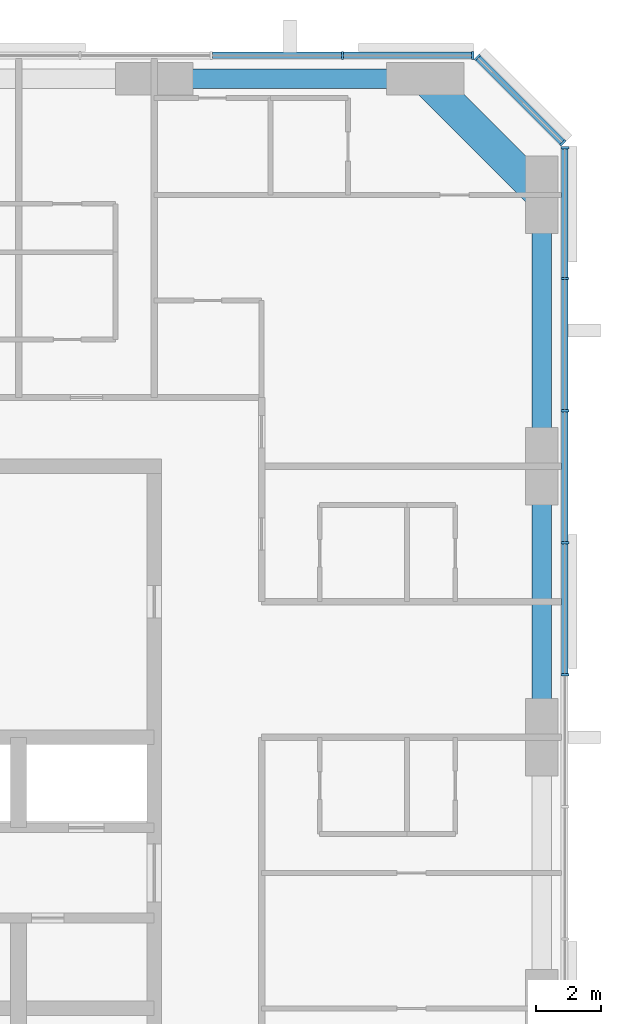
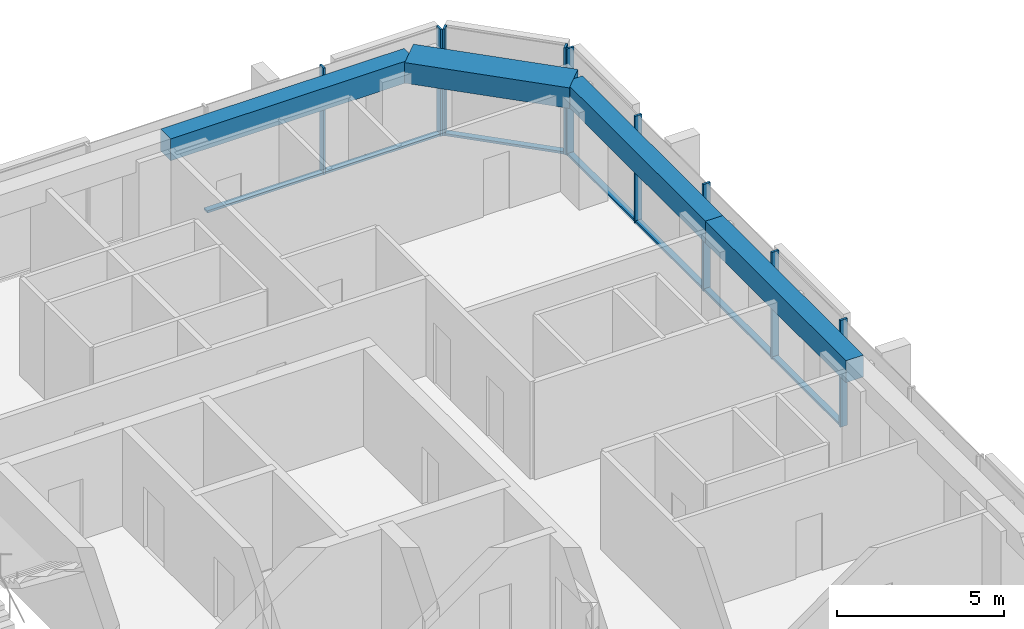
# One storey, part 5 of 12: 16 members, 4 beams, 3 elements without a shape of their own.
"""IFC4 building model written with IfcOpenShell, lengths in metres."""

from ifc_helpers import new_model, si_unit, direction, frame, origin, origin_2d, place, context, subcontext, project, spatial, rectangle, extrude, material, material_profile, profile_set, type_object, element, aggregate, save


model = new_model("IFC4")

# Units and contexts
model_context = context("Model", 3, precision=1e-05, world=origin(), true_north=direction((0.0, 1.0)))
body_context = subcontext(model_context, "Body", "Model", "MODEL_VIEW")
ifc_project = project(units=[si_unit("LENGTHUNIT", "METRE"), si_unit("AREAUNIT", "SQUARE_METRE"), si_unit("VOLUMEUNIT", "CUBIC_METRE"), si_unit("PLANEANGLEUNIT", "RADIAN"), si_unit("MASSUNIT", "GRAM", prefix="KILO")], contexts=[model_context])

# Site, building, storey
site_placement = place(None, origin())
site = spatial("IfcSite", under=ifc_project, at=site_placement, CompositionType="ELEMENT")
building_placement = place(site_placement, origin())
building = spatial("IfcBuilding", under=site, at=building_placement, Name="Dunama Terrace Hotel", CompositionType="ELEMENT")
storey_placement = place(building_placement, frame((0.0, 0.0, 272.39990234375)))
storey = spatial("IfcBuildingStorey", under=building, at=storey_placement, Name="L70", CompositionType="ELEMENT", Elevation=272.39990234375)

# Curtain wall, members
ifc_material_1 = material(Name="Aluminium curtain wall system", Category="aluminium")
curtain_wall_type = type_object("IfcCurtainWallType", Name="Unitised fritted glass wall CW-D", PredefinedType="NOTDEFINED", material=ifc_material_1)
curtain_wall_1_placement = place(storey_placement, origin())
curtain_wall_1 = element("IfcCurtainWall", 1, at=curtain_wall_1_placement, inside=storey, type_object=curtain_wall_type, Name="Unitised fritted glass wall CW-D L70", PredefinedType="NOTDEFINED")
ifc_material_2 = material(Name="Aluminium mullion", Category="aluminium")
ifc_material_profile_1 = material_profile(ifc_material_2, rectangle(XDim=0.070068359375, YDim=0.239990234375, at=origin_2d()), Name="CWD MULLION 70X240")
ifc_profile_set_1 = profile_set([ifc_material_profile_1], Name="Aluminium mullion")
member_type_1 = type_object("IfcMemberType", Name="CWD mullion 70x240", PredefinedType="MULLION", material=ifc_profile_set_1)
member_1_placement = place(storey_placement, frame((54.719970703125, 35.535888671875, 0.0), z_axis=(0.0, 0.0, 1.0), x_axis=(0.0, 1.0, 0.0)))
member_1 = element("IfcMember", 2, at=member_1_placement, type_object=member_type_1, Name="CWD mullion", PredefinedType="MULLION", context=body_context, shape_type="SweptSolid", body=[
    extrude(rectangle(XDim=0.070068359375, YDim=0.239990234375, at=origin_2d()), origin(), (0.0, 0.0, 1.0), 3.900146484375),
])
member_2_placement = place(storey_placement, frame((54.719970703125, 39.626953125, 0.0), z_axis=(0.0, 0.0, 1.0), x_axis=(0.0, 1.0, 0.0)))
member_2 = element("IfcMember", 3, at=member_2_placement, type_object=member_type_1, Name="CWD mullion", PredefinedType="MULLION", context=body_context, shape_type="SweptSolid", body=[
    extrude(rectangle(XDim=0.070068359375, YDim=0.239990234375, at=origin_2d()), origin(), (0.0, 0.0, 1.0), 3.900146484375),
])
member_3_placement = place(storey_placement, frame((54.719970703125, 43.718017578125, 0.0), z_axis=(0.0, 0.0, 1.0), x_axis=(0.0, 1.0, 0.0)))
member_3 = element("IfcMember", 4, at=member_3_placement, type_object=member_type_1, Name="CWD mullion", PredefinedType="MULLION", context=body_context, shape_type="SweptSolid", body=[
    extrude(rectangle(XDim=0.070068359375, YDim=0.239990234375, at=origin_2d()), origin(), (0.0, 0.0, 1.0), 3.900146484375),
])
member_4_placement = place(storey_placement, frame((54.719970703125, 47.80908203125, 0.0), z_axis=(0.0, 0.0, 1.0), x_axis=(0.0, 1.0, 0.0)))
member_4 = element("IfcMember", 5, at=member_4_placement, type_object=member_type_1, Name="CWD mullion", PredefinedType="MULLION", context=body_context, shape_type="SweptSolid", body=[
    extrude(rectangle(XDim=0.070068359375, YDim=0.239990234375, at=origin_2d()), origin(), (0.0, 0.0, 1.0), 3.900146484375),
])
member_5_placement = place(storey_placement, frame((54.719970703125, 51.864990234375, 0.0), z_axis=(0.0, 0.0, 1.0), x_axis=(0.0, 1.0, 0.0)))
member_5 = element("IfcMember", 6, at=member_5_placement, type_object=member_type_1, Name="CWD mullion", PredefinedType="MULLION", context=body_context, shape_type="SweptSolid", body=[
    extrude(rectangle(XDim=0.070068359375, YDim=0.239990234375, at=origin_2d()), origin(), (0.0, 0.0, 1.0), 3.900146484375),
])

curtain_wall_2_placement = place(storey_placement, origin())
curtain_wall_2 = element("IfcCurtainWall", 7, at=curtain_wall_2_placement, inside=storey, type_object=curtain_wall_type, Name="Unitised fritted glass wall CW-D L70", PredefinedType="NOTDEFINED")
member_6_placement = place(storey_placement, frame((54.659912109375, 52.010009765625, 0.0), z_axis=(0.0, 0.0, 1.0), x_axis=(-0.707106781187, 0.707106781187, 0.0)))
member_6 = element("IfcMember", 8, at=member_6_placement, type_object=member_type_1, Name="CWD mullion", PredefinedType="MULLION", context=body_context, shape_type="SweptSolid", body=[
    extrude(rectangle(XDim=0.070068359375, YDim=0.239990234375, at=origin_2d()), origin(), (0.0, 0.0, 1.0), 3.900146484375),
])
member_7_placement = place(storey_placement, frame((52.010009765625, 54.659912109375, 0.0), z_axis=(0.0, 0.0, 1.0), x_axis=(-0.707106781187, 0.707106781187, 0.0)))
member_7 = element("IfcMember", 9, at=member_7_placement, type_object=member_type_1, Name="CWD mullion", PredefinedType="MULLION", context=body_context, shape_type="SweptSolid", body=[
    extrude(rectangle(XDim=0.070068359375, YDim=0.239990234375, at=origin_2d()), origin(), (0.0, 0.0, 1.0), 3.900146484375),
])

curtain_wall_3_placement = place(storey_placement, origin())
curtain_wall_3 = element("IfcCurtainWall", 10, at=curtain_wall_3_placement, inside=storey, type_object=curtain_wall_type, Name="Unitised fritted glass wall CW-D L70", PredefinedType="NOTDEFINED")
member_8_placement = place(storey_placement, frame((51.864990234375, 54.719970703125, 0.0), z_axis=(0.0, 0.0, 1.0), x_axis=(-1.0, 0.0, 0.0)))
member_8 = element("IfcMember", 11, at=member_8_placement, type_object=member_type_1, Name="CWD mullion", PredefinedType="MULLION", context=body_context, shape_type="SweptSolid", body=[
    extrude(rectangle(XDim=0.070068359375, YDim=0.239990234375, at=origin_2d()), origin(), (0.0, 0.0, 1.0), 3.900146484375),
])
member_9_placement = place(storey_placement, frame((47.8330078125, 54.719970703125, 0.0), z_axis=(0.0, 0.0, 1.0), x_axis=(-1.0, 0.0, 0.0)))
member_9 = element("IfcMember", 12, at=member_9_placement, type_object=member_type_1, Name="CWD mullion", PredefinedType="MULLION", context=body_context, shape_type="SweptSolid", body=[
    extrude(rectangle(XDim=0.070068359375, YDim=0.239990234375, at=origin_2d()), origin(), (0.0, 0.0, 1.0), 3.900146484375),
])

# Member
ifc_material_3 = material(Name="Aluminium transom", Category="aluminium")
ifc_material_profile_2 = material_profile(ifc_material_3, rectangle(XDim=0.199951171875, YDim=0.0849609375, at=origin_2d()), Name="CWD TRANSOM 200X85")
ifc_profile_set_2 = profile_set([ifc_material_profile_2], Name="Aluminium transom")
member_type_2 = type_object("IfcMemberType", Name="CWD transom 200x85", PredefinedType="USERDEFINED", material=ifc_profile_set_2)
member_10_placement = place(storey_placement, frame((54.719970703125, 35.571044921875, 0.04248046875), z_axis=(0.0, 1.0, 0.0), x_axis=(-1.0, 0.0, 0.0)))
member_10 = element("IfcMember", 13, at=member_10_placement, type_object=member_type_2, Name="CWD transom", ObjectType="TRANSOM", PredefinedType="USERDEFINED", context=body_context, shape_type="SweptSolid", body=[
    extrude(rectangle(XDim=0.199951171875, YDim=0.0849609375, at=origin_2d()), origin(), (0.0, 0.0, 1.0), 4.02099609375),
])

member_11_placement = place(storey_placement, frame((54.719970703125, 39.662109375, 0.04248046875), z_axis=(0.0, 1.0, 0.0), x_axis=(-1.0, 0.0, 0.0)))
member_11 = element("IfcMember", 14, at=member_11_placement, type_object=member_type_2, Name="CWD transom", ObjectType="TRANSOM", PredefinedType="USERDEFINED", context=body_context, shape_type="SweptSolid", body=[
    extrude(rectangle(XDim=0.199951171875, YDim=0.0849609375, at=origin_2d()), origin(), (0.0, 0.0, 1.0), 4.02099609375),
])

member_12_placement = place(storey_placement, frame((54.719970703125, 43.7529296875, 0.04248046875), z_axis=(0.0, 1.0, 0.0), x_axis=(-1.0, 0.0, 0.0)))
member_12 = element("IfcMember", 15, at=member_12_placement, type_object=member_type_2, Name="CWD transom", ObjectType="TRANSOM", PredefinedType="USERDEFINED", context=body_context, shape_type="SweptSolid", body=[
    extrude(rectangle(XDim=0.199951171875, YDim=0.0849609375, at=origin_2d()), origin(), (0.0, 0.0, 1.0), 4.02099609375),
])

member_13_placement = place(storey_placement, frame((54.719970703125, 47.843994140625, 0.04248046875), z_axis=(0.0, 1.0, 0.0), x_axis=(-1.0, 0.0, 0.0)))
member_13 = element("IfcMember", 16, at=member_13_placement, type_object=member_type_2, Name="CWD transom", ObjectType="TRANSOM", PredefinedType="USERDEFINED", context=body_context, shape_type="SweptSolid", body=[
    extrude(rectangle(XDim=0.199951171875, YDim=0.0849609375, at=origin_2d()), origin(), (0.0, 0.0, 1.0), 3.986083984375),
])

aggregate(curtain_wall_1, [member_1, member_2, member_3, member_4, member_5, member_10, member_11, member_12, member_13])

member_14_placement = place(storey_placement, frame((54.635009765625, 52.033935546875, 0.04248046875), z_axis=(-0.707106781187, 0.707106781187, 0.0), x_axis=(-0.707106781187, -0.707106781187, 0.0)))
member_14 = element("IfcMember", 17, at=member_14_placement, type_object=member_type_2, Name="CWD transom", ObjectType="TRANSOM", PredefinedType="USERDEFINED", context=body_context, shape_type="SweptSolid", body=[
    extrude(rectangle(XDim=0.199951171875, YDim=0.0849609375, at=origin_2d()), origin(), (0.0, 0.0, 1.0), 3.678466796875),
])

aggregate(curtain_wall_2, [member_6, member_7, member_14])

member_15_placement = place(storey_placement, frame((51.830078125, 54.719970703125, 0.04248046875), z_axis=(-1.0, 0.0, 0.0), x_axis=(0.0, -1.0, 0.0)))
member_15 = element("IfcMember", 18, at=member_15_placement, type_object=member_type_2, Name="CWD transom", ObjectType="TRANSOM", PredefinedType="USERDEFINED", context=body_context, shape_type="SweptSolid", body=[
    extrude(rectangle(XDim=0.199951171875, YDim=0.0849609375, at=origin_2d()), origin(), (0.0, 0.0, 1.0), 3.962158203125),
])

member_16_placement = place(storey_placement, frame((47.798095703125, 54.719970703125, 0.04248046875), z_axis=(-1.0, 0.0, 0.0), x_axis=(0.0, -1.0, 0.0)))
member_16 = element("IfcMember", 19, at=member_16_placement, type_object=member_type_2, Name="CWD transom", ObjectType="TRANSOM", PredefinedType="USERDEFINED", context=body_context, shape_type="SweptSolid", body=[
    extrude(rectangle(XDim=0.199951171875, YDim=0.0849609375, at=origin_2d()), origin(), (0.0, 0.0, 1.0), 3.99609375),
])

aggregate(curtain_wall_3, [member_8, member_9, member_15, member_16])

# Beams
ifc_material_4 = material(Name="Concrete C50/60", Category="concrete")
ifc_material_profile_3 = material_profile(ifc_material_4, rectangle(XDim=1.0, YDim=0.75, at=origin_2d()), Name="RC 1000x750")
ifc_profile_set_3 = profile_set([ifc_material_profile_3], Name="Concrete C50/60")
beam_type_1 = type_object("IfcBeamType", Name="Edge beam RC 1000x750", PredefinedType="SPANDREL", material=ifc_profile_set_3)
beam_placement = place(storey_placement, frame((50.39990234375, 54.0, 3.525146484375), z_axis=(0.707106781187, -0.707106781187, 0.0), x_axis=(0.707106781187, 0.707106781187, 0.0)))
element("IfcBeam", 20, at=beam_placement, inside=storey, type_object=beam_type_1, Name="Corner edge beam under L71", PredefinedType="SPANDREL", context=body_context, shape_type="SweptSolid", body=[
    extrude(rectangle(XDim=1.0, YDim=0.75, at=origin_2d()), origin(), (0.0, 0.0, 1.0), 5.09130859375),
])
ifc_material_5 = material(Name="Concrete C40/50", Category="concrete")
ifc_material_profile_4 = material_profile(ifc_material_5, rectangle(XDim=0.60009765625, YDim=0.800048828125, at=origin_2d()), Name="RC 600x800")
ifc_profile_set_4 = profile_set([ifc_material_profile_4], Name="Concrete C40/50")
beam_type_2 = type_object("IfcBeamType", Name="Edge beam RC 600x800", PredefinedType="SPANDREL", material=ifc_profile_set_4)
for number, where, z_axis, x_axis, name in (
    (21, (54.0, 33.60009765625, 3.5), (0.0, 1.0, 0.0), (-1.0, 0.0, 0.0), "Edge beam under L71"),
    (22, (54.0, 42.0, 3.5), (0.0, 1.0, 0.0), (-1.0, 0.0, 0.0), "Edge beam under L71"),
    (23, (42.0, 54.0, 3.5), (1.0, 0.0, 0.0), (0.0, 1.0, 0.0), "Edge beam under L71"),
):
    element("IfcBeam", number, at=place(storey_placement, frame(where, z_axis=z_axis, x_axis=x_axis)), inside=storey, type_object=beam_type_2, Name=name, PredefinedType="SPANDREL", context=body_context, shape_type="SweptSolid", body=[
        extrude(rectangle(XDim=0.60009765625, YDim=0.800048828125, at=origin_2d()), origin(), (0.0, 0.0, 1.0), 8.39990234375),
    ])

save(model, "model.ifc")
